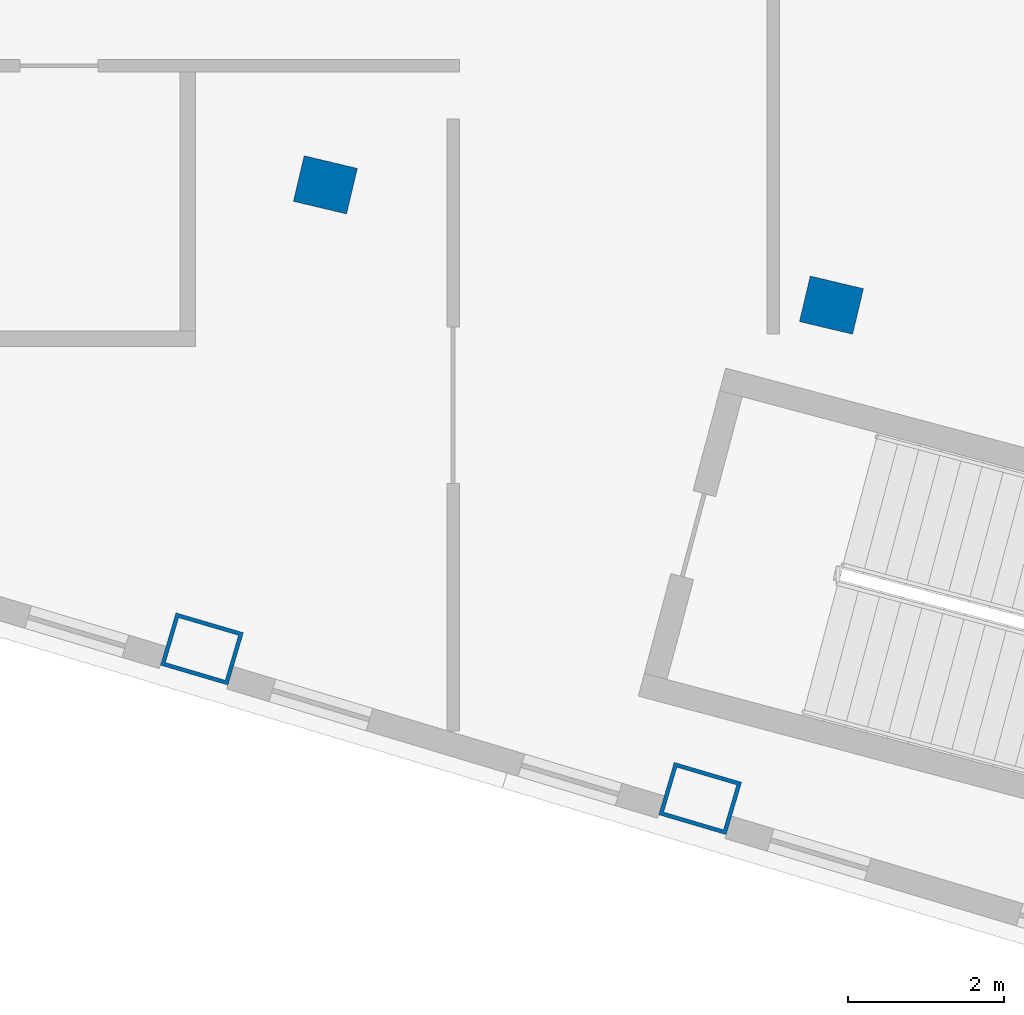
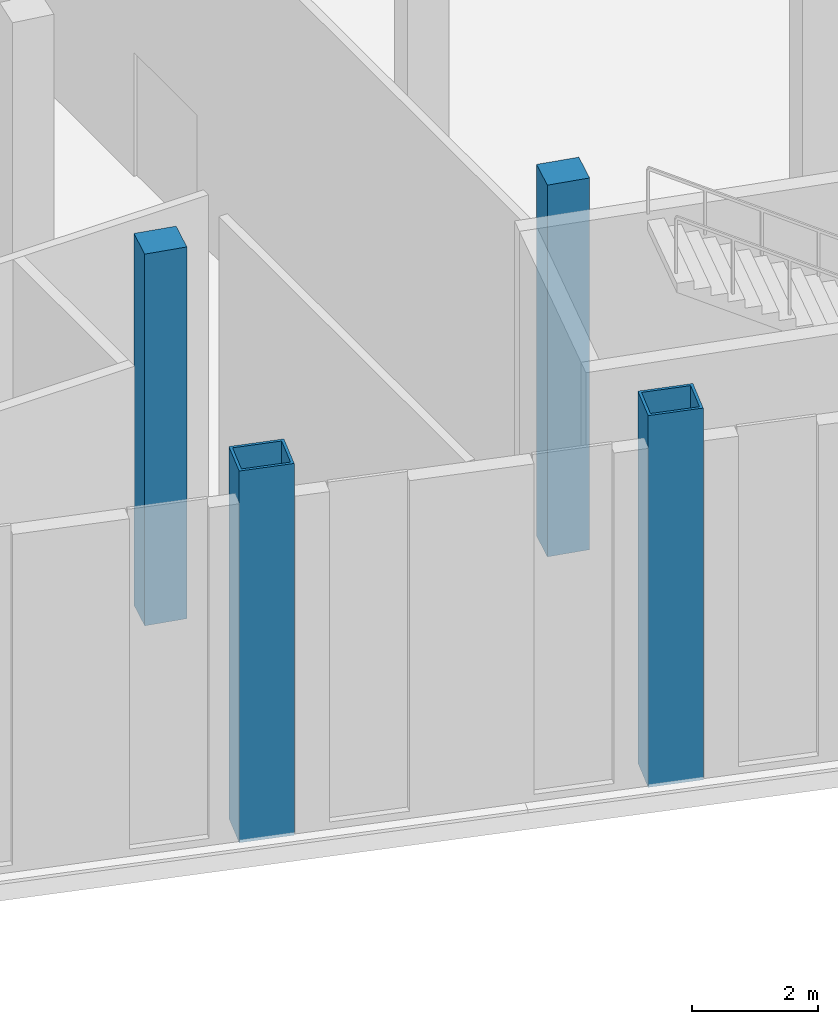
# One storey, part 2 of 25: 4 columns.
"""IFC4 building model written with IfcOpenShell, lengths in metres."""

from ifc_helpers import new_model, si_unit, direction, frame, origin, origin_2d, place, context, subcontext, project, spatial, rectangle, hollow_rectangle, extrude, material, material_profile, profile_set, type_object, element, save


model = new_model("IFC4")

# Units and contexts
model_context = context("Model", 3, precision=1e-05, world=origin(), true_north=direction((0.0, 1.0)))
body_context = subcontext(model_context, "Body", "Model", "MODEL_VIEW")
ifc_project = project(units=[si_unit("LENGTHUNIT", "METRE"), si_unit("AREAUNIT", "SQUARE_METRE"), si_unit("VOLUMEUNIT", "CUBIC_METRE"), si_unit("PLANEANGLEUNIT", "RADIAN"), si_unit("MASSUNIT", "GRAM", prefix="KILO")], contexts=[model_context])

# Site, building, storey
site_placement = place(None, origin())
site = spatial("IfcSite", under=ifc_project, at=site_placement, CompositionType="ELEMENT")
building_placement = place(site_placement, origin())
building = spatial("IfcBuilding", under=site, at=building_placement, Name="Alderwake Tower", CompositionType="ELEMENT")
storey_placement = place(building_placement, frame((0.0, 0.0, 288.800048828125)))
storey = spatial("IfcBuildingStorey", under=building, at=storey_placement, Name="L72", CompositionType="ELEMENT", Elevation=288.800048828125)

# Columns
ifc_material_1 = material(Name="Steel ASTM A572 Grade 50 concrete filled C70/85", Category="concrete")
ifc_material_profile_1 = material_profile(ifc_material_1, hollow_rectangle(XDim=0.699951171875, YDim=0.89990234375, WallThickness=0.050048828125, at=origin_2d()), Name="BOX 900X700X50")
ifc_profile_set_1 = profile_set([ifc_material_profile_1], Name="Steel ASTM A572 Grade 50 concrete filled C70/85")
column_type_1 = type_object("IfcColumnType", Name="End column Z5", PredefinedType="COLUMN", material=ifc_profile_set_1)
for number, where, z_axis, x_axis, name in (
    (1, (31.080322265625, 28.27685546875, 0.0), (0.0, 0.0, 1.0), (0.282582549822, 0.959242984095, 0.0), "Column R02-C2"),
    (2, (37.465576171875, 26.35986328125, 0.0), (0.0, 0.0, 1.0), (0.282853758087, 0.95916304742, 0.0), "Column R02-C3"),
):
    element("IfcColumn", number, at=place(storey_placement, frame(where, z_axis=z_axis, x_axis=x_axis)), inside=storey, type_object=column_type_1, Name=name, PredefinedType="COLUMN", context=body_context, shape_type="SweptSolid", body=[
        extrude(hollow_rectangle(XDim=0.699951171875, YDim=0.89990234375, WallThickness=0.050048828125, at=origin_2d()), origin(), (0.0, 0.0, 1.0), 7.199951171875),
    ])
ifc_material_2 = material(Name="Concrete C70/85", Category="concrete")
ifc_material_profile_2 = material_profile(ifc_material_2, rectangle(XDim=0.60009765625, YDim=0.699951171875, at=origin_2d()), Name="RC 700X600")
ifc_profile_set_2 = profile_set([ifc_material_profile_2], Name="Concrete C70/85")
column_type_2 = type_object("IfcColumnType", Name="Interior column Z5", PredefinedType="COLUMN", material=ifc_profile_set_2)
for number, where, z_axis, x_axis, name in (
    (3, (32.661865234375, 34.224609375, 0.0), (0.0, 0.0, 1.0), (0.231221547198, 0.972901123502, 0.0), "Column R03-C2"),
    (4, (39.14794921875, 32.68310546875, 0.0), (0.0, 0.0, 1.0), (0.231221547198, 0.972901123502, 0.0), "Column R03-C3"),
):
    element("IfcColumn", number, at=place(storey_placement, frame(where, z_axis=z_axis, x_axis=x_axis)), inside=storey, type_object=column_type_2, Name=name, PredefinedType="COLUMN", context=body_context, shape_type="SweptSolid", body=[
        extrude(rectangle(XDim=0.60009765625, YDim=0.699951171875, at=origin_2d()), origin(), (0.0, 0.0, 1.0), 7.199951171875),
    ])

save(model, "model.ifc")
